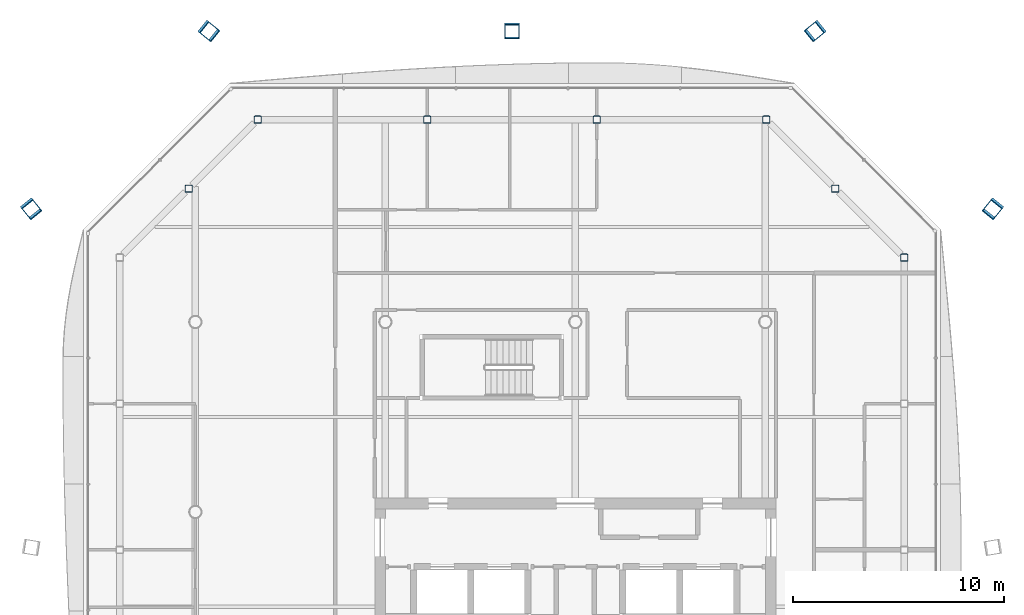
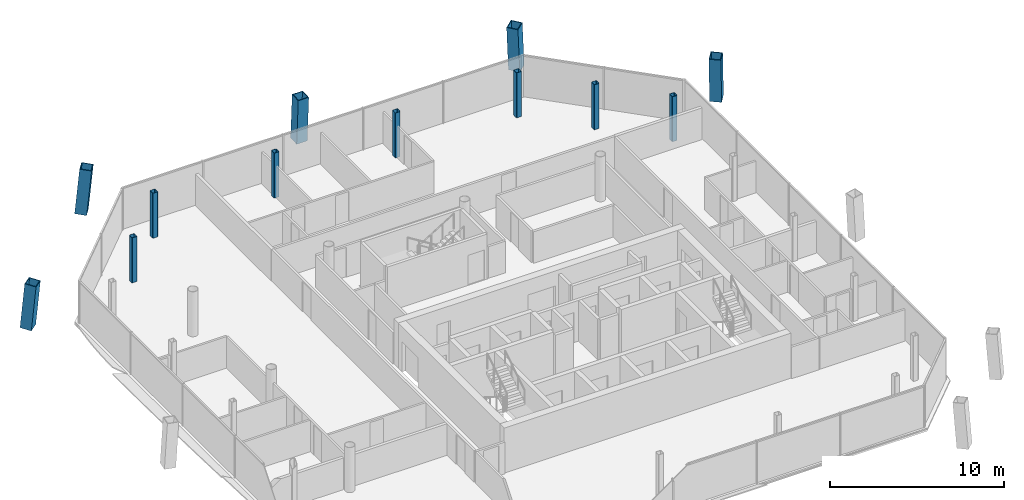
# One storey, part 3 of 20: 12 columns.
"""IFC4 building model written with IfcOpenShell, lengths in metres."""

import ifcopenshell
import ifcopenshell.guid

model = None  # the IFC model being written
_history = None  # IfcOwnerHistory: only IFC2X3 demands one
_inside = {}  # id of a spatial element -> (the spatial element, [elements in it])
_under = {}  # id of a project, library or spatial element -> (it, [spatial elements below it])
_declared = {}  # id of a project -> (the project, [libraries it declares])
_typed = {}  # id of a type object -> (the type object, [elements of that type])
_made_of = {}  # id of a material, layer set ... -> (it, [elements and type objects made of it])


def new_model(schema):
    """Start an empty IFC model of exactly this schema.

    Asked for "IFC4X3", IfcOpenShell would pick the latest addendum, in which some entities
    have other attributes; the version numbers below select the first issue.
    IFC2X3 requires an IfcOwnerHistory on every rooted entity: one is made here for all.
    """
    global model, _history
    if schema == "IFC4X3":
        model = ifcopenshell.file(schema_version=(4, 3, 0, 0))
    else:
        model = ifcopenshell.file(schema=schema)
    _inside.clear()
    _under.clear()
    _declared.clear()
    _typed.clear()
    _made_of.clear()
    _history = None
    if model.schema == "IFC2X3":
        org = make("IfcOrganization", Name="unknown")
        user = make(
            "IfcPersonAndOrganization",
            ThePerson=make("IfcPerson", FamilyName="unknown"),
            TheOrganization=org,
        )
        app = make(
            "IfcApplication",
            ApplicationDeveloper=org,
            Version="unknown",
            ApplicationFullName="unknown",
            ApplicationIdentifier="unknown",
        )
        _history = make(
            "IfcOwnerHistory",
            OwningUser=user,
            OwningApplication=app,
            ChangeAction="ADDED",
            CreationDate=0,
        )
    return model


def make(cls, **values):
    """One entity of the class cls with the attributes given. An attribute that is None is left unset."""
    return model.create_entity(
        cls, **{name: value for name, value in values.items() if value is not None}
    )


def rooted(cls, **values):
    """An entity with a GlobalId (a new one), such as an element, a storey or a relation."""
    return make(cls, GlobalId=ifcopenshell.guid.new(), OwnerHistory=_history, **values)


def si_unit(unit_type, name, prefix=None):
    """IfcSIUnit, for example si_unit("LENGTHUNIT", "METRE", prefix="MILLI")."""
    return make("IfcSIUnit", UnitType=unit_type, Prefix=prefix, Name=name)


def assignment(units):
    """IfcUnitAssignment: the units of a project."""
    return None if units is None else make("IfcUnitAssignment", Units=units)


def point(xyz):
    """IfcCartesianPoint."""
    return None if xyz is None else make("IfcCartesianPoint", Coordinates=xyz)


def direction(xyz):
    """IfcDirection."""
    return None if xyz is None else make("IfcDirection", DirectionRatios=xyz)


def frame(location, z_axis=None, x_axis=None):
    """IfcAxis2Placement3D, a coordinate frame: its origin and axes. An axis left out is left unset."""
    return make(
        "IfcAxis2Placement3D",
        Location=point(location),
        Axis=direction(z_axis),
        RefDirection=direction(x_axis),
    )


def frame_2d(location, x_axis=None):
    """IfcAxis2Placement2D, a coordinate frame in the plane: its origin and x axis."""
    return make(
        "IfcAxis2Placement2D", Location=point(location), RefDirection=direction(x_axis)
    )


def origin():
    """The frame at (0, 0, 0) with its axes left unset."""
    return frame((0.0, 0.0, 0.0))


def origin_2d():
    """The frame at (0, 0) in the plane with its x axis left unset."""
    return frame_2d((0.0, 0.0))


def place(relative_to, where):
    """IfcLocalPlacement: puts the frame where relative to a parent placement (None: the world)."""
    return make(
        "IfcLocalPlacement", PlacementRelTo=relative_to, RelativePlacement=where
    )


def context(
    kind, dimensions, precision=None, world=None, true_north=None, identifier=None
):
    """IfcGeometricRepresentationContext, for example the 3D "Model" context."""
    return make(
        "IfcGeometricRepresentationContext",
        ContextIdentifier=identifier,
        ContextType=kind,
        CoordinateSpaceDimension=dimensions,
        Precision=precision,
        WorldCoordinateSystem=world,
        TrueNorth=true_north,
    )


def subcontext(parent, identifier, kind, view, scale=None):
    """IfcGeometricRepresentationSubContext, for example "Body" below "Model"."""
    return make(
        "IfcGeometricRepresentationSubContext",
        ContextIdentifier=identifier,
        ContextType=kind,
        ParentContext=parent,
        TargetScale=scale,
        TargetView=view,
    )


def project(units=None, contexts=None):
    """IfcProject with its units and contexts."""
    return rooted(
        "IfcProject",
        Name="project",
        RepresentationContexts=contexts,
        UnitsInContext=assignment(units),
    )


def spatial(cls, under=None, at=None, **own):
    """A site, building, storey or space (cls), placed at a placement, below another one or the project."""
    s = rooted(cls, ObjectPlacement=at, **own)
    if under is not None:
        _under.setdefault(under.id(), (under, []))[1].append(s)
    return s


def profile(cls, at=None, kind="AREA", **sizes):
    """A parametric profile (cls). Its sizes go by their IFC names, for example OverallWidth=200.0."""
    return make(cls, ProfileType=kind, Position=at, **sizes)


def hollow_rectangle(**sizes):
    """IfcRectangleHollowProfileDef."""
    return profile("IfcRectangleHollowProfileDef", **sizes)


def extrude(swept, where, along, depth):
    """IfcExtrudedAreaSolid: the profile swept, set in the frame where, extruded along a direction by depth."""
    return make(
        "IfcExtrudedAreaSolid",
        SweptArea=swept,
        Position=where,
        ExtrudedDirection=direction(along),
        Depth=depth,
    )


def shape(context_of_items, identifier, shape_type, items):
    """IfcShapeRepresentation: the items that make up one representation, for example the "Body"."""
    return make(
        "IfcShapeRepresentation",
        ContextOfItems=context_of_items,
        RepresentationIdentifier=identifier,
        RepresentationType=shape_type,
        Items=items,
    )


def material(Name=None, Category=None):
    """IfcMaterial."""
    return make("IfcMaterial", Name=Name, Category=Category)


def material_profile(
    of_material, cross_section, Name=None, Category=None, Priority=None
):
    """IfcMaterialProfile: a cross section and its material."""
    return make(
        "IfcMaterialProfile",
        Name=Name,
        Material=of_material,
        Profile=cross_section,
        Priority=Priority,
        Category=Category,
    )


def profile_set(profiles, Name=None, composite=None):
    """IfcMaterialProfileSet."""
    return make(
        "IfcMaterialProfileSet",
        Name=Name,
        MaterialProfiles=profiles,
        CompositeProfile=composite,
    )


def made_of(thing, what):
    """Note that an element or type object is made of a material, layer set ...; save() writes the relation."""
    if what is not None:
        _made_of.setdefault(what.id(), (what, []))[1].append(thing)
    return thing


def type_object(cls, material=None, **own):
    """A type object (cls), such as IfcWallType, which elements share."""
    return made_of(rooted(cls, **own), material)


def element(
    cls,
    number,
    at=None,
    inside=None,
    cuts=None,
    type_object=None,
    material=None,
    context=None,
    identifier="Body",
    shape_type=None,
    held_by="IfcProductDefinitionShape",
    body=None,
    shapes=None,
    **own,
):
    """One element of the class cls, such as IfcWall. Its Tag is "e" and its number.

    at: its placement. inside: the storey or other place that contains it. cuts: it is an
    opening in that element (IfcRelVoidsElement). A single representation is given by context,
    identifier, shape_type and body (its items); several are given by shapes. held_by: the class
    of the entity that holds the representations. save() writes the other relations.
    """
    e = rooted(cls, Tag="e%d" % number, ObjectPlacement=at, **own)
    if body is not None:
        shapes = [shape(context, identifier, shape_type, body)]
    if shapes is not None:
        e.Representation = make(held_by, Representations=shapes)
    if inside is not None:
        _inside.setdefault(inside.id(), (inside, []))[1].append(e)
    if cuts is not None:
        rooted(
            "IfcRelVoidsElement", RelatingBuildingElement=cuts, RelatedOpeningElement=e
        )
    if type_object is not None:
        _typed.setdefault(type_object.id(), (type_object, []))[1].append(e)
    return made_of(e, material)


def aggregate(whole, parts):
    """IfcRelAggregates: a whole, such as a stair, and the parts it consists of."""
    return rooted("IfcRelAggregates", RelatingObject=whole, RelatedObjects=parts)


def save(model, path):
    """Write the relations noted so far, then the file.

    IfcRelAggregates (storeys below a building ...), IfcRelContainedInSpatialStructure (elements
    in a storey), IfcRelDefinesByType, IfcRelAssociatesMaterial and IfcRelDeclares: one each for
    every whole, place, type object, material and project.
    """
    for whole, parts in _under.values():
        aggregate(whole, parts)
    for where, things in _inside.values():
        rooted(
            "IfcRelContainedInSpatialStructure",
            RelatedElements=things,
            RelatingStructure=where,
        )
    for kind, things in _typed.values():
        rooted("IfcRelDefinesByType", RelatedObjects=things, RelatingType=kind)
    for what, things in _made_of.values():
        rooted("IfcRelAssociatesMaterial", RelatedObjects=things, RelatingMaterial=what)
    for by, libraries in _declared.values():
        rooted("IfcRelDeclares", RelatingContext=by, RelatedDefinitions=libraries)
    model.write(path)


model = new_model("IFC4")

# Units and contexts
model_context = context("Model", 3, precision=1e-05, world=origin(), true_north=direction((0.0, 1.0)))
body_context = subcontext(model_context, "Body", "Model", "MODEL_VIEW")
ifc_project = project(units=[si_unit("LENGTHUNIT", "METRE"), si_unit("AREAUNIT", "SQUARE_METRE"), si_unit("VOLUMEUNIT", "CUBIC_METRE"), si_unit("PLANEANGLEUNIT", "RADIAN"), si_unit("MASSUNIT", "GRAM", prefix="KILO")], contexts=[model_context])

# Site, building, storey
site_placement = place(None, origin())
site = spatial("IfcSite", under=ifc_project, at=site_placement, CompositionType="ELEMENT")
building_placement = place(site_placement, origin())
building = spatial("IfcBuilding", under=site, at=building_placement, Name="Tskaro Facet Tower", CompositionType="ELEMENT")
storey_placement = place(building_placement, frame((0.0, 0.0, 197.39990234375)))
storey = spatial("IfcBuildingStorey", under=building, at=storey_placement, Name="L50", CompositionType="ELEMENT", Elevation=197.39990234375)

# Columns
ifc_material_1 = material(Name="Steel S460M", Category="steel")
ifc_material_profile_1 = material_profile(ifc_material_1, hollow_rectangle(XDim=0.699951171875, YDim=0.699951171875, WallThickness=0.044921875, at=origin_2d()), Name="BOX 700x700x45")
ifc_profile_set_1 = profile_set([ifc_material_profile_1], Name="Steel S460M")
column_type_1 = type_object("IfcColumnType", Name="BOX 700x700x45 mega column", PredefinedType="COLUMN", material=ifc_profile_set_1)
for number, where, z_axis, x_axis, name in (
    (1, (19.81494140625, 14.403076171875, 0.0), (-0.057495127458, -0.071463742317, 0.995784737708), (0.779141980058, -0.626847489356, 0.0), "BOX 700x700x45 MC06/4"),
    (2, (11.403076171875, 22.81494140625, 0.0), (-0.071463742317, -0.057495127458, 0.995784737708), (0.626847489356, -0.779141980058, 0.0), "BOX 700x700x45 MC07/4"),
):
    element("IfcColumn", number, at=place(storey_placement, frame(where, z_axis=z_axis, x_axis=x_axis)), inside=storey, type_object=column_type_1, Name=name, PredefinedType="COLUMN", context=body_context, shape_type="SweptSolid", body=[
        extrude(hollow_rectangle(XDim=0.699951171875, YDim=0.699951171875, WallThickness=0.044921875, at=origin_2d()), origin(), (0.0, 0.0, 1.0), 3.16357421875),
    ])
column_placement = place(storey_placement, frame((-3.0, 22.81494140625, 0.0), z_axis=(0.0, -0.057642507929, 0.998337288335), x_axis=(1.0, 0.0, 0.0)))
element("IfcColumn", 3, at=column_placement, inside=storey, type_object=column_type_1, Name="BOX 700x700x45 MC08/4", PredefinedType="COLUMN", context=body_context, shape_type="SweptSolid", body=[
    extrude(hollow_rectangle(XDim=0.699951171875, YDim=0.699951171875, WallThickness=0.044921875, at=origin_2d()), origin(), (0.0, 0.0, 1.0), 3.1552734375),
])
for number, where, z_axis, x_axis, name in (
    (4, (-17.403076171875, 22.81494140625, 0.0), (0.071463742317, -0.057495127458, 0.995784737708), (0.626847489356, 0.779141980058, 0.0), "BOX 700x700x45 MC09/4"),
    (5, (-25.81494140625, 14.403076171875, 0.0), (0.057495127458, -0.071463742317, 0.995784737708), (0.779141980058, 0.626847489356, 0.0), "BOX 700x700x45 MC10/4"),
):
    element("IfcColumn", number, at=place(storey_placement, frame(where, z_axis=z_axis, x_axis=x_axis)), inside=storey, type_object=column_type_1, Name=name, PredefinedType="COLUMN", context=body_context, shape_type="SweptSolid", body=[
        extrude(hollow_rectangle(XDim=0.699951171875, YDim=0.699951171875, WallThickness=0.044921875, at=origin_2d()), origin(), (0.0, 0.0, 1.0), 3.16357421875),
    ])
ifc_material_2 = material(Name="Steel S355J2H", Category="steel")
ifc_material_profile_2 = material_profile(ifc_material_2, hollow_rectangle(XDim=0.35009765625, YDim=0.35009765625, WallThickness=0.02001953125, InnerFilletRadius=0.030029296875, OuterFilletRadius=0.050048828125, at=origin_2d()), Name="SHS 350x350x20")
ifc_profile_set_2 = profile_set([ifc_material_profile_2], Name="Steel S355J2H")
column_type_2 = type_object("IfcColumnType", Name="SHS 350x350x20 ring column", PredefinedType="COLUMN", material=ifc_profile_set_2)
for number, where, z_axis, x_axis, name in (
    (6, (15.5830078125, 12.0458984375, 0.0), (0.0, 0.0, 1.0), (1.0, 0.0, 0.0), "SHS 350x350x20 RNE-1/4"),
    (7, (12.31396484375, 15.31396484375, 0.0), (0.0, 0.0, 1.0), (1.0, 0.0, 0.0), "SHS 350x350x20 RNE-2/4"),
    (8, (9.0458984375, 18.5830078125, 0.0), (0.0, 0.0, 1.0), (1.0, 0.0, 0.0), "SHS 350x350x20 RN-1/4"),
    (9, (1.014892578125, 18.5830078125, 0.0), (0.0, 0.0, 1.0), (1.0, 0.0, 0.0), "SHS 350x350x20 RN-2/4"),
    (10, (-7.014892578125, 18.5830078125, 0.0), (0.0, 0.0, 1.0), (1.0, 0.0, 0.0), "SHS 350x350x20 RN-3/4"),
    (11, (-15.0458984375, 18.5830078125, 0.0), (0.0, 0.0, 1.0), (1.0, 0.0, 0.0), "SHS 350x350x20 RNW-1/4"),
    (12, (-18.31396484375, 15.31396484375, 0.0), (0.0, 0.0, 1.0), (1.0, 0.0, 0.0), "SHS 350x350x20 RNW-2/4"),
):
    element("IfcColumn", number, at=place(storey_placement, frame(where, z_axis=z_axis, x_axis=x_axis)), inside=storey, type_object=column_type_2, Name=name, PredefinedType="COLUMN", context=body_context, shape_type="SweptSolid", body=[
        extrude(hollow_rectangle(XDim=0.35009765625, YDim=0.35009765625, WallThickness=0.02001953125, InnerFilletRadius=0.030029296875, OuterFilletRadius=0.050048828125, at=origin_2d()), origin(), (0.0, 0.0, 1.0), 3.150146484375),
    ])

save(model, "model.ifc")
